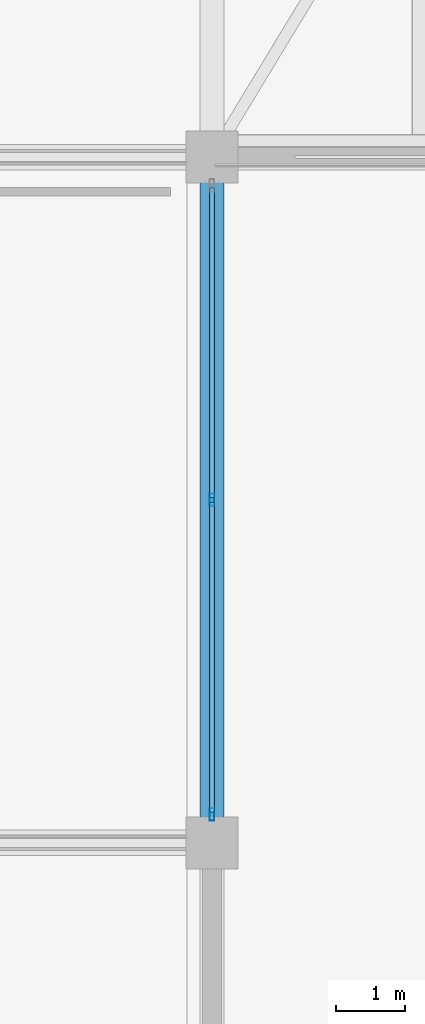
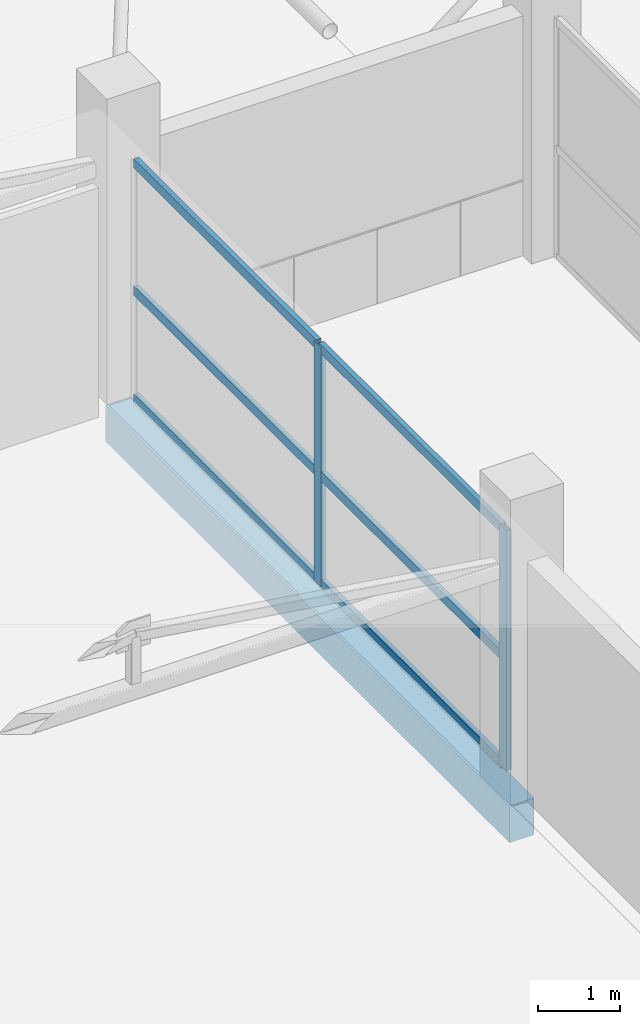
# One storey, part 24 of 69: 8 members, 1 beam, 1 element without a shape of its own.
"""IFC4 building model written with IfcOpenShell, lengths in metres."""

from ifc_helpers import new_model, si_unit, direction, frame, origin, origin_2d, place, context, subcontext, project, spatial, rectangle, hollow_rectangle, extrude, material, layer, layer_set, material_profile, profile_set, type_object, element, aggregate, save


model = new_model("IFC4")

# Units and contexts
model_context = context("Model", 3, precision=1e-05, world=origin(), true_north=direction((0.0, 1.0)))
body_context = subcontext(model_context, "Body", "Model", "MODEL_VIEW")
ifc_project = project(units=[si_unit("LENGTHUNIT", "METRE"), si_unit("AREAUNIT", "SQUARE_METRE"), si_unit("VOLUMEUNIT", "CUBIC_METRE"), si_unit("PLANEANGLEUNIT", "RADIAN"), si_unit("MASSUNIT", "GRAM", prefix="KILO")], contexts=[model_context])

# Site, building, storey
site_placement = place(None, origin())
site = spatial("IfcSite", under=ifc_project, at=site_placement, CompositionType="ELEMENT")
building_placement = place(site_placement, origin())
building = spatial("IfcBuilding", under=site, at=building_placement, Name="Sillaruma Civic Art Gallery", CompositionType="ELEMENT")
storey_placement = place(building_placement, frame((0.0, 0.0, 42.330078125)))
storey = spatial("IfcBuildingStorey", under=building, at=storey_placement, Name="L08", CompositionType="ELEMENT", Elevation=42.330078125)

# Beam
ifc_material_1 = material(Name="Concrete H35 (35 MPa)", Category="concrete")
ifc_material_profile_1 = material_profile(ifc_material_1, rectangle(XDim=0.35009765625, YDim=0.550048828125, at=origin_2d()), Name="RCB350x550")
ifc_profile_set_1 = profile_set([ifc_material_profile_1], Name="Concrete H35 (35 MPa)")
beam_type = type_object("IfcBeamType", Name="BM-SPANDREL-RCB350x550", PredefinedType="SPANDREL", material=ifc_profile_set_1)
beam_placement = place(storey_placement, frame((92.0, 59.39990234375, -0.55517578125), z_axis=(0.0, 1.0, 0.0), x_axis=(-1.0, 0.0, 0.0)))
element("IfcBeam", 1, at=beam_placement, inside=storey, type_object=beam_type, Name="Beam BS-04 (L07:K:7-8)", PredefinedType="SPANDREL", context=body_context, shape_type="SweptSolid", body=[
    extrude(rectangle(XDim=0.35009765625, YDim=0.550048828125, at=origin_2d()), origin(), (0.0, 0.0, 1.0), 9.900146484375),
])

# Curtain wall, members
ifc_material_2 = material(Name="Thermally Broken Extruded Aluminium 6063-T6", Category="aluminium")
ifc_layer = layer(ifc_material_2, 0.179931640625, Name="Thermally Broken Extruded Aluminium 6063-T6")
ifc_layer_set = layer_set([ifc_layer], Name="Thermally Broken Extruded Aluminium 6063-T6")
curtain_wall_type = type_object("IfcCurtainWallType", Name="CW-UNI-33", PredefinedType="NOTDEFINED", material=ifc_layer_set)
curtain_wall_placement = place(storey_placement, origin())
curtain_wall = element("IfcCurtainWall", 2, at=curtain_wall_placement, inside=storey, type_object=curtain_wall_type, Name="Unitised Curtain Wall CW-33 (CW-L08-WBE-5)", PredefinedType="NOTDEFINED")
ifc_material_profile_2 = material_profile(ifc_material_2, hollow_rectangle(XDim=0.070068359375, YDim=0.179931640625, WallThickness=0.00390625, at=origin_2d()), Name="CWM70x180")
ifc_profile_set_2 = profile_set([ifc_material_profile_2], Name="Thermally Broken Extruded Aluminium 6063-T6")
member_type_1 = type_object("IfcMemberType", Name="MEM-MUL-CWM70x180", PredefinedType="MULLION", material=ifc_profile_set_2)
member_1_placement = place(storey_placement, frame((92.0, 59.81005859375, 0.0), z_axis=(0.0, 0.0, 1.0), x_axis=(-1.0, 0.0, 0.0)))
member_1 = element("IfcMember", 3, at=member_1_placement, type_object=member_type_1, Name="CW-33 mullion 1", PredefinedType="MULLION", context=body_context, shape_type="SweptSolid", body=[
    extrude(hollow_rectangle(XDim=0.070068359375, YDim=0.179931640625, WallThickness=0.00390625, at=origin_2d()), origin(), (0.0, 0.0, 1.0), 3.58984375),
])
member_2_placement = place(storey_placement, frame((92.0, 64.35009765625, 0.0), z_axis=(0.0, 0.0, 1.0), x_axis=(-1.0, 0.0, 0.0)))
member_2 = element("IfcMember", 4, at=member_2_placement, type_object=member_type_1, Name="CW-33 mullion 2", PredefinedType="MULLION", context=body_context, shape_type="SweptSolid", body=[
    extrude(hollow_rectangle(XDim=0.070068359375, YDim=0.179931640625, WallThickness=0.00390625, at=origin_2d()), origin(), (0.0, 0.0, 1.0), 3.58984375),
])
ifc_material_profile_3 = material_profile(ifc_material_2, hollow_rectangle(XDim=0.070068359375, YDim=0.139892578125, WallThickness=0.00390625, at=origin_2d()), Name="CWT70x140")
ifc_profile_set_3 = profile_set([ifc_material_profile_3], Name="Thermally Broken Extruded Aluminium 6063-T6")
member_type_2 = type_object("IfcMemberType", Name="MEM-TRN-CWT70x140", PredefinedType="USERDEFINED", material=ifc_profile_set_3)
member_3_placement = place(storey_placement, frame((92.0, 59.844970703125, 0.034912109375), z_axis=(0.0, 1.0, 0.0), x_axis=(-1.0, 0.0, 0.0)))
member_3 = element("IfcMember", 5, at=member_3_placement, type_object=member_type_2, Name="CW-33 transom 1.1", ObjectType="TRANSOM", PredefinedType="USERDEFINED", context=body_context, shape_type="SweptSolid", body=[
    extrude(hollow_rectangle(XDim=0.070068359375, YDim=0.139892578125, WallThickness=0.00390625, at=origin_2d()), origin(), (0.0, 0.0, 1.0), 4.469970703125),
])
member_4_placement = place(storey_placement, frame((92.0, 59.844970703125, 1.6513671875), z_axis=(0.0, 1.0, 0.0), x_axis=(-1.0, 0.0, 0.0)))
member_4 = element("IfcMember", 6, at=member_4_placement, type_object=member_type_2, Name="CW-33 transom 1.2", ObjectType="TRANSOM", PredefinedType="USERDEFINED", context=body_context, shape_type="SweptSolid", body=[
    extrude(hollow_rectangle(XDim=0.070068359375, YDim=0.139892578125, WallThickness=0.00390625, at=origin_2d()), origin(), (0.0, 0.0, 1.0), 4.469970703125),
])
member_5_placement = place(storey_placement, frame((92.0, 59.844970703125, 3.554931640625), z_axis=(0.0, 1.0, 0.0), x_axis=(-1.0, 0.0, 0.0)))
member_5 = element("IfcMember", 7, at=member_5_placement, type_object=member_type_2, Name="CW-33 transom 1.3", ObjectType="TRANSOM", PredefinedType="USERDEFINED", context=body_context, shape_type="SweptSolid", body=[
    extrude(hollow_rectangle(XDim=0.070068359375, YDim=0.139892578125, WallThickness=0.00390625, at=origin_2d()), origin(), (0.0, 0.0, 1.0), 4.469970703125),
])
member_6_placement = place(storey_placement, frame((92.0, 64.385009765625, 0.034912109375), z_axis=(0.0, 1.0, 0.0), x_axis=(-1.0, 0.0, 0.0)))
member_6 = element("IfcMember", 8, at=member_6_placement, type_object=member_type_2, Name="CW-33 transom 2.1", ObjectType="TRANSOM", PredefinedType="USERDEFINED", context=body_context, shape_type="SweptSolid", body=[
    extrude(hollow_rectangle(XDim=0.070068359375, YDim=0.139892578125, WallThickness=0.00390625, at=origin_2d()), origin(), (0.0, 0.0, 1.0), 4.469970703125),
])
member_7_placement = place(storey_placement, frame((92.0, 64.385009765625, 1.6513671875), z_axis=(0.0, 1.0, 0.0), x_axis=(-1.0, 0.0, 0.0)))
member_7 = element("IfcMember", 9, at=member_7_placement, type_object=member_type_2, Name="CW-33 transom 2.2", ObjectType="TRANSOM", PredefinedType="USERDEFINED", context=body_context, shape_type="SweptSolid", body=[
    extrude(hollow_rectangle(XDim=0.070068359375, YDim=0.139892578125, WallThickness=0.00390625, at=origin_2d()), origin(), (0.0, 0.0, 1.0), 4.469970703125),
])
member_8_placement = place(storey_placement, frame((92.0, 64.385009765625, 3.554931640625), z_axis=(0.0, 1.0, 0.0), x_axis=(-1.0, 0.0, 0.0)))
member_8 = element("IfcMember", 10, at=member_8_placement, type_object=member_type_2, Name="CW-33 transom 2.3", ObjectType="TRANSOM", PredefinedType="USERDEFINED", context=body_context, shape_type="SweptSolid", body=[
    extrude(hollow_rectangle(XDim=0.070068359375, YDim=0.139892578125, WallThickness=0.00390625, at=origin_2d()), origin(), (0.0, 0.0, 1.0), 4.469970703125),
])
aggregate(curtain_wall, [member_1, member_2, member_3, member_4, member_5, member_6, member_7, member_8])

save(model, "model.ifc")
